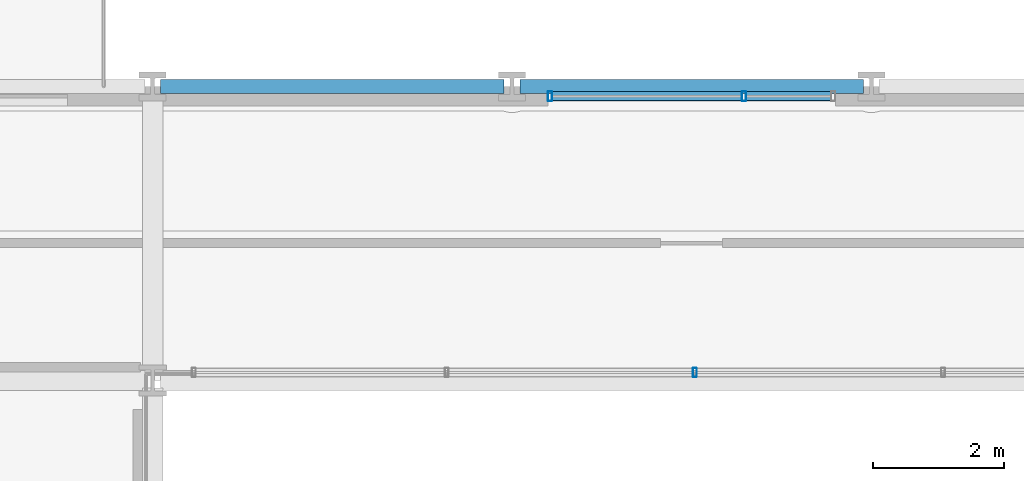
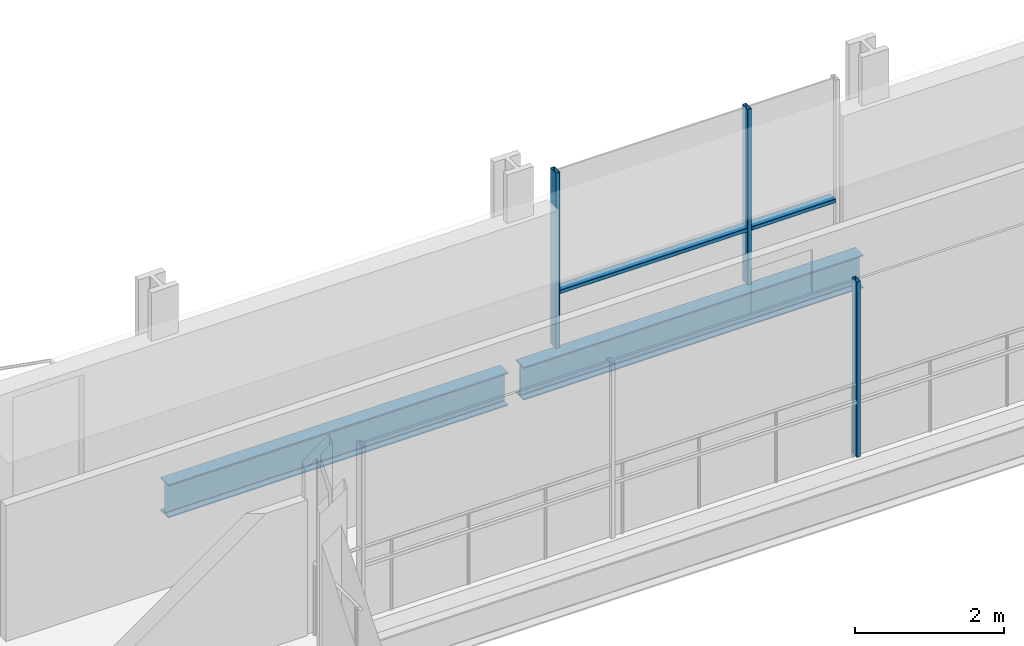
# One storey, part 11 of 39: 5 members, 2 beams, 2 elements without a shape of their own.
"""IFC4 building model written with IfcOpenShell, lengths in metres."""

from ifc_helpers import new_model, si_unit, direction, frame, origin, origin_2d, place, context, subcontext, project, spatial, hollow_rectangle, i_section, extrude, material, layer, layer_set, material_profile, profile_set, type_object, element, aggregate, save


model = new_model("IFC4")

# Units and contexts
model_context = context("Model", 3, precision=1e-05, world=origin(), true_north=direction((0.0, 1.0)))
body_context = subcontext(model_context, "Body", "Model", "MODEL_VIEW")
ifc_project = project(units=[si_unit("LENGTHUNIT", "METRE"), si_unit("AREAUNIT", "SQUARE_METRE"), si_unit("VOLUMEUNIT", "CUBIC_METRE"), si_unit("PLANEANGLEUNIT", "RADIAN"), si_unit("MASSUNIT", "GRAM", prefix="KILO")], contexts=[model_context])

# Site, building, storey
site_placement = place(None, origin())
site = spatial("IfcSite", under=ifc_project, at=site_placement, CompositionType="ELEMENT")
building_placement = place(site_placement, origin())
building = spatial("IfcBuilding", under=site, at=building_placement, Name="Brevholm Reach", CompositionType="ELEMENT")
storey_placement = place(building_placement, frame((0.0, 0.0, 34.199951171875)))
storey = spatial("IfcBuildingStorey", under=building, at=storey_placement, Name="L08", CompositionType="ELEMENT", Elevation=34.199951171875)

# Beams
ifc_material_1 = material(Name="Structural Steel S355J2", Category="steel")
ifc_material_profile_1 = material_profile(ifc_material_1, i_section(OverallWidth=0.210693359375, OverallDepth=0.53955078125, WebThickness=0.01171875, FlangeThickness=0.018798828125, FilletRadius=0.0126953125, at=origin_2d()), Name="UKB 533x210x109")
ifc_profile_set_1 = profile_set([ifc_material_profile_1], Name="Structural Steel S355J2")
beam_type = type_object("IfcBeamType", Name="BM-SP539", PredefinedType="SPANDREL", material=ifc_profile_set_1)
for number, where, z_axis, x_axis, name in (
    (1, (21.8701171875, 31.0, -0.499755859375), (1.0, 0.0, 0.0), (0.0, 1.0, 0.0), "L08 SP-01B Framing Beam"),
    (2, (27.3701171875, 31.0, -0.499755859375), (1.0, 0.0, 0.0), (0.0, 1.0, 0.0), "L08 SP-01B Framing Beam"),
):
    element("IfcBeam", number, at=place(storey_placement, frame(where, z_axis=z_axis, x_axis=x_axis)), inside=storey, type_object=beam_type, Name=name, PredefinedType="SPANDREL", context=body_context, shape_type="SweptSolid", body=[
        extrude(i_section(OverallWidth=0.210693359375, OverallDepth=0.53955078125, WebThickness=0.01171875, FlangeThickness=0.018798828125, FilletRadius=0.0126953125, at=origin_2d()), origin(), (0.0, 0.0, 1.0), 5.259765625),
    ])

# Curtain wall, member
ifc_material_2 = material(Name="Dark Anodised Aluminium 6063-T6 and Solar-Control Glass", Category="aluminium")
ifc_layer_1 = layer(ifc_material_2, 0.139892578125)
ifc_layer_set_1 = layer_set([ifc_layer_1], Name="Dark Anodised Aluminium 6063-T6 and Solar-Control Glass")
curtain_wall_type_1 = type_object("IfcCurtainWallType", Name="CW-02", PredefinedType="NOTDEFINED", material=ifc_layer_set_1)
curtain_wall_1_placement = place(storey_placement, origin())
curtain_wall_1 = element("IfcCurtainWall", 3, at=curtain_wall_1_placement, inside=storey, type_object=curtain_wall_type_1, Name="L08 Curtain Wall CW-02", PredefinedType="NOTDEFINED")
ifc_material_3 = material(Name="Dark Anodised Aluminium 6063-T6", Category="aluminium")
ifc_material_profile_2 = material_profile(ifc_material_3, hollow_rectangle(XDim=0.06005859375, YDim=0.139892578125, WallThickness=0.0048828125, InnerFilletRadius=0.0048828125, OuterFilletRadius=0.010009765625, at=origin_2d()), Name="RHS 140x60x5")
ifc_profile_set_2 = profile_set([ifc_material_profile_2], Name="Dark Anodised Aluminium 6063-T6")
member_type_1 = type_object("IfcMemberType", Name="CWM-140", PredefinedType="MULLION", material=ifc_profile_set_2)
member_1_placement = place(storey_placement, frame((30.050048828125, 26.6201171875, 0.0), z_axis=(0.0, 0.0, 1.0), x_axis=(-1.0, 0.0, 0.0)))
member_1 = element("IfcMember", 4, at=member_1_placement, type_object=member_type_1, Name="CM-140 Mullion 3", PredefinedType="MULLION", context=body_context, shape_type="SweptSolid", body=[
    extrude(hollow_rectangle(XDim=0.06005859375, YDim=0.139892578125, WallThickness=0.0048828125, InnerFilletRadius=0.0048828125, OuterFilletRadius=0.010009765625, at=origin_2d()), origin(), (0.0, 0.0, 1.0), 2.8701171875),
])
aggregate(curtain_wall_1, [member_1])

# Curtain wall, members
ifc_material_4 = material(Name="Dark Anodised Aluminium 6063-T6 and Solar-Control Glass", Category="aluminium")
ifc_layer_2 = layer(ifc_material_4, 0.14990234375)
ifc_layer_set_2 = layer_set([ifc_layer_2], Name="Dark Anodised Aluminium 6063-T6 and Solar-Control Glass")
curtain_wall_type_2 = type_object("IfcCurtainWallType", Name="CW-01", PredefinedType="NOTDEFINED", material=ifc_layer_set_2)
curtain_wall_2_placement = place(storey_placement, origin())
curtain_wall_2 = element("IfcCurtainWall", 5, at=curtain_wall_2_placement, inside=storey, type_object=curtain_wall_type_2, Name="L08 Curtain Wall CW-01", PredefinedType="NOTDEFINED")
ifc_material_5 = material(Name="Dark Anodised Aluminium 6063-T6", Category="aluminium")
ifc_material_profile_3 = material_profile(ifc_material_5, hollow_rectangle(XDim=0.06494140625, YDim=0.14990234375, WallThickness=0.0048828125, InnerFilletRadius=0.0048828125, OuterFilletRadius=0.010009765625, at=origin_2d()), Name="RHS 150x65x5")
ifc_profile_set_3 = profile_set([ifc_material_profile_3], Name="Dark Anodised Aluminium 6063-T6")
member_type_2 = type_object("IfcMemberType", Name="CWM-150", PredefinedType="MULLION", material=ifc_profile_set_3)
member_2_placement = place(storey_placement, frame((27.83251953125, 30.85009765625, 0.0), z_axis=(0.0, 0.0, 1.0), x_axis=(1.0, 0.0, 0.0)))
member_2 = element("IfcMember", 6, at=member_2_placement, type_object=member_type_2, Name="CM-150 Mullion 1", PredefinedType="MULLION", context=body_context, shape_type="SweptSolid", body=[
    extrude(hollow_rectangle(XDim=0.06494140625, YDim=0.14990234375, WallThickness=0.0048828125, InnerFilletRadius=0.0048828125, OuterFilletRadius=0.010009765625, at=origin_2d()), origin(), (0.0, 0.0, 1.0), 2.8701171875),
])
member_3_placement = place(storey_placement, frame((30.800048828125, 30.85009765625, 0.0), z_axis=(0.0, 0.0, 1.0), x_axis=(1.0, 0.0, 0.0)))
member_3 = element("IfcMember", 7, at=member_3_placement, type_object=member_type_2, Name="CM-150 Mullion 2", PredefinedType="MULLION", context=body_context, shape_type="SweptSolid", body=[
    extrude(hollow_rectangle(XDim=0.06494140625, YDim=0.14990234375, WallThickness=0.0048828125, InnerFilletRadius=0.0048828125, OuterFilletRadius=0.010009765625, at=origin_2d()), origin(), (0.0, 0.0, 1.0), 2.8701171875),
])
ifc_material_6 = material(Name="Dark Anodised Aluminium 6063-T6", Category="aluminium")
ifc_material_profile_4 = material_profile(ifc_material_6, hollow_rectangle(XDim=0.06494140625, YDim=0.14990234375, WallThickness=0.0048828125, InnerFilletRadius=0.0048828125, OuterFilletRadius=0.010009765625, at=origin_2d()), Name="RHS 150x65x5")
ifc_profile_set_4 = profile_set([ifc_material_profile_4], Name="Dark Anodised Aluminium 6063-T6")
member_type_3 = type_object("IfcMemberType", Name="CWT-150", PredefinedType="NOTDEFINED", material=ifc_profile_set_4)
member_4_placement = place(storey_placement, frame((27.864990234375, 30.85009765625, 0.900146484375), z_axis=(1.0, 0.0, 0.0), x_axis=(0.0, 0.0, 1.0)))
member_4 = element("IfcMember", 8, at=member_4_placement, type_object=member_type_3, Name="CT-150 Transom 1.1", ObjectType="TRANSOM", PredefinedType="USERDEFINED", context=body_context, shape_type="SweptSolid", body=[
    extrude(hollow_rectangle(XDim=0.06494140625, YDim=0.14990234375, WallThickness=0.0048828125, InnerFilletRadius=0.0048828125, OuterFilletRadius=0.010009765625, at=origin_2d()), origin(), (0.0, 0.0, 1.0), 2.902587890625),
])
member_5_placement = place(storey_placement, frame((30.83251953125, 30.85009765625, 0.900146484375), z_axis=(1.0, 0.0, 0.0), x_axis=(0.0, 0.0, 1.0)))
member_5 = element("IfcMember", 9, at=member_5_placement, type_object=member_type_3, Name="CT-150 Transom 2.1", ObjectType="TRANSOM", PredefinedType="USERDEFINED", context=body_context, shape_type="SweptSolid", body=[
    extrude(hollow_rectangle(XDim=0.06494140625, YDim=0.14990234375, WallThickness=0.0048828125, InnerFilletRadius=0.0048828125, OuterFilletRadius=0.010009765625, at=origin_2d()), origin(), (0.0, 0.0, 1.0), 1.302490234375),
])
aggregate(curtain_wall_2, [member_2, member_3, member_4, member_5])

save(model, "model.ifc")
